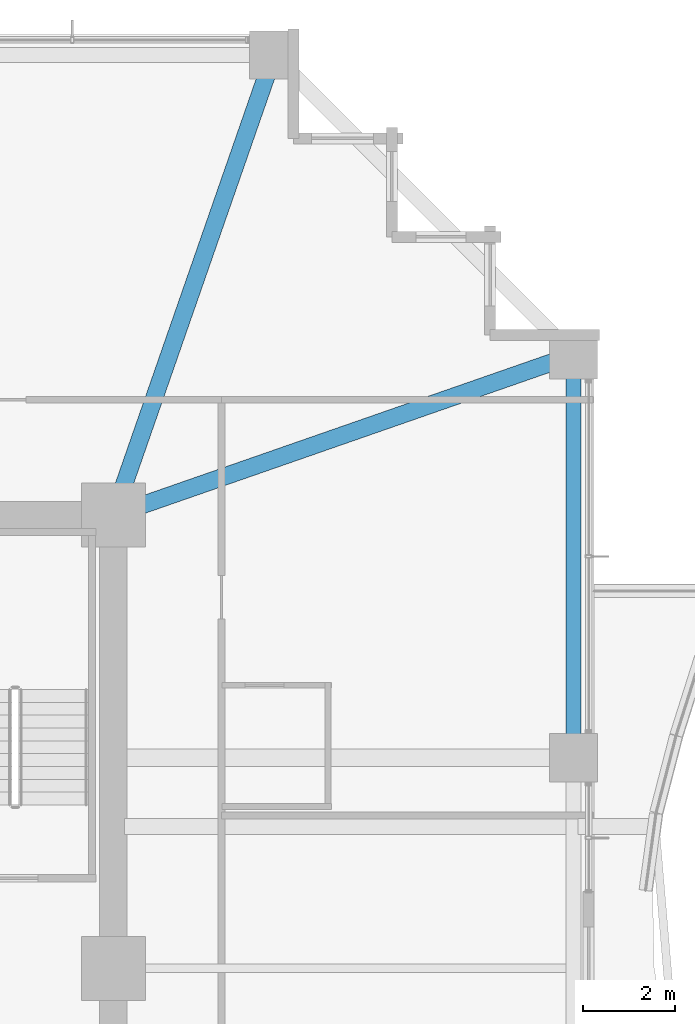
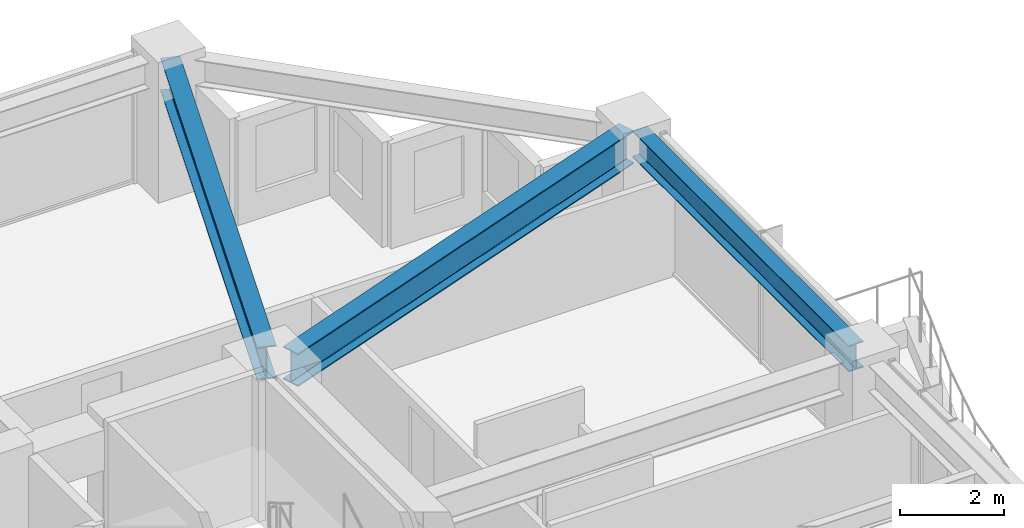
# One storey, part 21 of 38: 3 beams.
"""IFC4 building model written with IfcOpenShell, lengths in metres."""

from ifc_helpers import new_model, si_unit, direction, frame, origin, origin_2d, place, context, subcontext, project, spatial, i_section, extrude, material, material_profile, profile_set, type_object, element, save


model = new_model("IFC4")

# Units and contexts
model_context = context("Model", 3, precision=1e-05, world=origin(), true_north=direction((0.0, 1.0)))
body_context = subcontext(model_context, "Body", "Model", "MODEL_VIEW")
ifc_project = project(units=[si_unit("LENGTHUNIT", "METRE"), si_unit("AREAUNIT", "SQUARE_METRE"), si_unit("VOLUMEUNIT", "CUBIC_METRE"), si_unit("PLANEANGLEUNIT", "RADIAN"), si_unit("MASSUNIT", "GRAM", prefix="KILO")], contexts=[model_context])

# Site, building, storey
site_placement = place(None, origin())
site = spatial("IfcSite", under=ifc_project, at=site_placement, CompositionType="ELEMENT")
building_placement = place(site_placement, origin())
building = spatial("IfcBuilding", under=site, at=building_placement, Name="Kolvaren Belvedere", CompositionType="ELEMENT")
storey_placement = place(building_placement, frame((0.0, 0.0, 101.89990234375)))
storey = spatial("IfcBuildingStorey", under=building, at=storey_placement, Name="L29", CompositionType="ELEMENT", Elevation=101.89990234375)

# Beams
ifc_material_1 = material(Name="Structural steel ASTM A992 Grade 50", Category="steel")
ifc_material_profile_1 = material_profile(ifc_material_1, i_section(OverallWidth=0.381103515625, OverallDepth=0.77294921875, WebThickness=0.0166015625, FlangeThickness=0.027099609375, FilletRadius=0.02392578125, at=origin_2d()), Name="W30X173")
ifc_profile_set_1 = profile_set([ifc_material_profile_1], Name="Structural steel ASTM A992 Grade 50")
beam_type_1 = type_object("IfcBeamType", Name="BM-GIRD-W30X173", PredefinedType="BEAM", material=ifc_profile_set_1)
for number, where, z_axis, x_axis, name in (
    (1, (10.080810546875, 10.41943359375, 2.693603515625), (0.328880894453, 0.944371408538, 0.0), (-0.944371408538, 0.328880894453, 0.0), "L29 Corner Core-to-Perimeter Girder CC3-N4"),
    (2, (10.41943359375, 10.080810546875, 2.693603515625), (0.944371408538, 0.328880894453, 0.0), (-0.328880894453, 0.944371408538, 0.0), "L29 Corner Core-to-Perimeter Girder CC3-E4"),
):
    element("IfcBeam", number, at=place(storey_placement, frame(where, z_axis=z_axis, x_axis=x_axis)), inside=storey, type_object=beam_type_1, Name=name, PredefinedType="BEAM", context=body_context, shape_type="SweptSolid", body=[
        extrude(i_section(OverallWidth=0.381103515625, OverallDepth=0.77294921875, WebThickness=0.0166015625, FlangeThickness=0.027099609375, FilletRadius=0.02392578125, at=origin_2d()), origin(), (0.0, 0.0, 1.0), 9.882080078125),
    ])
ifc_material_2 = material(Name="Structural steel ASTM A992 Grade 50", Category="steel")
ifc_material_profile_2 = material_profile(ifc_material_2, i_section(OverallWidth=0.324951171875, OverallDepth=0.615966796875, WebThickness=0.013916015625, FlangeThickness=0.021484375, FilletRadius=0.02001953125, at=origin_2d()), Name="W24X117")
ifc_profile_set_2 = profile_set([ifc_material_profile_2], Name="Structural steel ASTM A992 Grade 50")
beam_type_2 = type_object("IfcBeamType", Name="BM-SPAN-W24X117", PredefinedType="SPANDREL", material=ifc_profile_set_2)
beam_placement = place(storey_placement, frame((19.949951171875, 4.836181640625, 2.772216796875), z_axis=(0.0, 1.0, 0.0), x_axis=(-1.0, 0.0, 0.0)))
element("IfcBeam", 3, at=beam_placement, inside=storey, type_object=beam_type_2, Name="L29 Perimeter Spandrel E3-E4", PredefinedType="SPANDREL", context=body_context, shape_type="SweptSolid", body=[
    extrude(i_section(OverallWidth=0.324951171875, OverallDepth=0.615966796875, WebThickness=0.013916015625, FlangeThickness=0.021484375, FilletRadius=0.02001953125, at=origin_2d()), origin(), (0.0, 0.0, 1.0), 8.32763671875),
])

save(model, "model.ifc")
